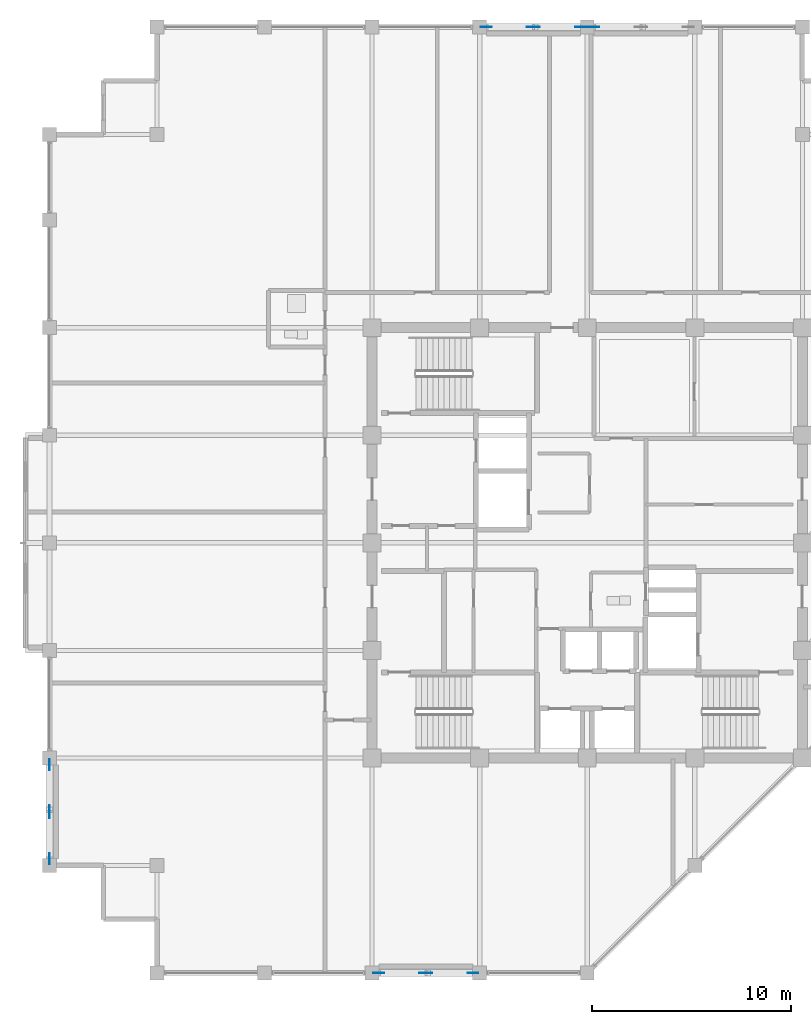
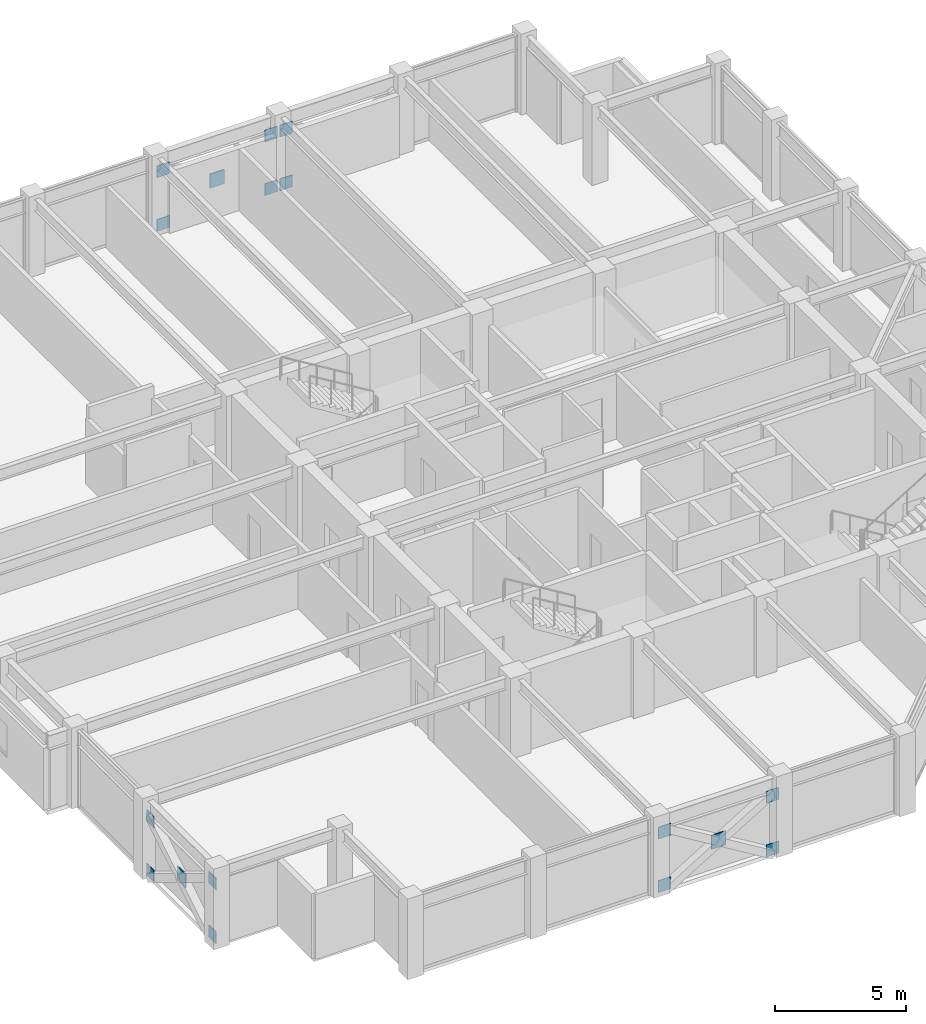
# One storey, part 22 of 30: 17 plates.
"""IFC4 building model written with IfcOpenShell, lengths in metres."""

import ifcopenshell
import ifcopenshell.guid

model = None  # the IFC model being written
_history = None  # IfcOwnerHistory: only IFC2X3 demands one
_inside = {}  # id of a spatial element -> (the spatial element, [elements in it])
_under = {}  # id of a project, library or spatial element -> (it, [spatial elements below it])
_declared = {}  # id of a project -> (the project, [libraries it declares])
_typed = {}  # id of a type object -> (the type object, [elements of that type])
_made_of = {}  # id of a material, layer set ... -> (it, [elements and type objects made of it])


def new_model(schema):
    """Start an empty IFC model of exactly this schema.

    Asked for "IFC4X3", IfcOpenShell would pick the latest addendum, in which some entities
    have other attributes; the version numbers below select the first issue.
    IFC2X3 requires an IfcOwnerHistory on every rooted entity: one is made here for all.
    """
    global model, _history
    if schema == "IFC4X3":
        model = ifcopenshell.file(schema_version=(4, 3, 0, 0))
    else:
        model = ifcopenshell.file(schema=schema)
    _inside.clear()
    _under.clear()
    _declared.clear()
    _typed.clear()
    _made_of.clear()
    _history = None
    if model.schema == "IFC2X3":
        org = make("IfcOrganization", Name="unknown")
        user = make(
            "IfcPersonAndOrganization",
            ThePerson=make("IfcPerson", FamilyName="unknown"),
            TheOrganization=org,
        )
        app = make(
            "IfcApplication",
            ApplicationDeveloper=org,
            Version="unknown",
            ApplicationFullName="unknown",
            ApplicationIdentifier="unknown",
        )
        _history = make(
            "IfcOwnerHistory",
            OwningUser=user,
            OwningApplication=app,
            ChangeAction="ADDED",
            CreationDate=0,
        )
    return model


def make(cls, **values):
    """One entity of the class cls with the attributes given. An attribute that is None is left unset."""
    return model.create_entity(
        cls, **{name: value for name, value in values.items() if value is not None}
    )


def rooted(cls, **values):
    """An entity with a GlobalId (a new one), such as an element, a storey or a relation."""
    return make(cls, GlobalId=ifcopenshell.guid.new(), OwnerHistory=_history, **values)


def si_unit(unit_type, name, prefix=None):
    """IfcSIUnit, for example si_unit("LENGTHUNIT", "METRE", prefix="MILLI")."""
    return make("IfcSIUnit", UnitType=unit_type, Prefix=prefix, Name=name)


def assignment(units):
    """IfcUnitAssignment: the units of a project."""
    return None if units is None else make("IfcUnitAssignment", Units=units)


def point(xyz):
    """IfcCartesianPoint."""
    return None if xyz is None else make("IfcCartesianPoint", Coordinates=xyz)


def direction(xyz):
    """IfcDirection."""
    return None if xyz is None else make("IfcDirection", DirectionRatios=xyz)


def frame(location, z_axis=None, x_axis=None):
    """IfcAxis2Placement3D, a coordinate frame: its origin and axes. An axis left out is left unset."""
    return make(
        "IfcAxis2Placement3D",
        Location=point(location),
        Axis=direction(z_axis),
        RefDirection=direction(x_axis),
    )


def frame_2d(location, x_axis=None):
    """IfcAxis2Placement2D, a coordinate frame in the plane: its origin and x axis."""
    return make(
        "IfcAxis2Placement2D", Location=point(location), RefDirection=direction(x_axis)
    )


def origin():
    """The frame at (0, 0, 0) with its axes left unset."""
    return frame((0.0, 0.0, 0.0))


def origin_2d():
    """The frame at (0, 0) in the plane with its x axis left unset."""
    return frame_2d((0.0, 0.0))


def place(relative_to, where):
    """IfcLocalPlacement: puts the frame where relative to a parent placement (None: the world)."""
    return make(
        "IfcLocalPlacement", PlacementRelTo=relative_to, RelativePlacement=where
    )


def context(
    kind, dimensions, precision=None, world=None, true_north=None, identifier=None
):
    """IfcGeometricRepresentationContext, for example the 3D "Model" context."""
    return make(
        "IfcGeometricRepresentationContext",
        ContextIdentifier=identifier,
        ContextType=kind,
        CoordinateSpaceDimension=dimensions,
        Precision=precision,
        WorldCoordinateSystem=world,
        TrueNorth=true_north,
    )


def subcontext(parent, identifier, kind, view, scale=None):
    """IfcGeometricRepresentationSubContext, for example "Body" below "Model"."""
    return make(
        "IfcGeometricRepresentationSubContext",
        ContextIdentifier=identifier,
        ContextType=kind,
        ParentContext=parent,
        TargetScale=scale,
        TargetView=view,
    )


def project(units=None, contexts=None):
    """IfcProject with its units and contexts."""
    return rooted(
        "IfcProject",
        Name="project",
        RepresentationContexts=contexts,
        UnitsInContext=assignment(units),
    )


def spatial(cls, under=None, at=None, **own):
    """A site, building, storey or space (cls), placed at a placement, below another one or the project."""
    s = rooted(cls, ObjectPlacement=at, **own)
    if under is not None:
        _under.setdefault(under.id(), (under, []))[1].append(s)
    return s


def profile(cls, at=None, kind="AREA", **sizes):
    """A parametric profile (cls). Its sizes go by their IFC names, for example OverallWidth=200.0."""
    return make(cls, ProfileType=kind, Position=at, **sizes)


def rectangle(**sizes):
    """IfcRectangleProfileDef."""
    return profile("IfcRectangleProfileDef", **sizes)


def extrude(swept, where, along, depth):
    """IfcExtrudedAreaSolid: the profile swept, set in the frame where, extruded along a direction by depth."""
    return make(
        "IfcExtrudedAreaSolid",
        SweptArea=swept,
        Position=where,
        ExtrudedDirection=direction(along),
        Depth=depth,
    )


def shape(context_of_items, identifier, shape_type, items):
    """IfcShapeRepresentation: the items that make up one representation, for example the "Body"."""
    return make(
        "IfcShapeRepresentation",
        ContextOfItems=context_of_items,
        RepresentationIdentifier=identifier,
        RepresentationType=shape_type,
        Items=items,
    )


def material(Name=None, Category=None):
    """IfcMaterial."""
    return make("IfcMaterial", Name=Name, Category=Category)


def layer(
    of_material, thickness, ventilated=None, Name=None, Category=None, Priority=None
):
    """IfcMaterialLayer: one layer of a wall or slab, of a material (None: an air gap)."""
    return make(
        "IfcMaterialLayer",
        Material=of_material,
        LayerThickness=thickness,
        IsVentilated=ventilated,
        Name=Name,
        Category=Category,
        Priority=Priority,
    )


def layer_set(layers, Name=None):
    """IfcMaterialLayerSet."""
    return make("IfcMaterialLayerSet", MaterialLayers=layers, LayerSetName=Name)


def made_of(thing, what):
    """Note that an element or type object is made of a material, layer set ...; save() writes the relation."""
    if what is not None:
        _made_of.setdefault(what.id(), (what, []))[1].append(thing)
    return thing


def type_object(cls, material=None, **own):
    """A type object (cls), such as IfcWallType, which elements share."""
    return made_of(rooted(cls, **own), material)


def element(
    cls,
    number,
    at=None,
    inside=None,
    cuts=None,
    type_object=None,
    material=None,
    context=None,
    identifier="Body",
    shape_type=None,
    held_by="IfcProductDefinitionShape",
    body=None,
    shapes=None,
    **own,
):
    """One element of the class cls, such as IfcWall. Its Tag is "e" and its number.

    at: its placement. inside: the storey or other place that contains it. cuts: it is an
    opening in that element (IfcRelVoidsElement). A single representation is given by context,
    identifier, shape_type and body (its items); several are given by shapes. held_by: the class
    of the entity that holds the representations. save() writes the other relations.
    """
    e = rooted(cls, Tag="e%d" % number, ObjectPlacement=at, **own)
    if body is not None:
        shapes = [shape(context, identifier, shape_type, body)]
    if shapes is not None:
        e.Representation = make(held_by, Representations=shapes)
    if inside is not None:
        _inside.setdefault(inside.id(), (inside, []))[1].append(e)
    if cuts is not None:
        rooted(
            "IfcRelVoidsElement", RelatingBuildingElement=cuts, RelatedOpeningElement=e
        )
    if type_object is not None:
        _typed.setdefault(type_object.id(), (type_object, []))[1].append(e)
    return made_of(e, material)


def aggregate(whole, parts):
    """IfcRelAggregates: a whole, such as a stair, and the parts it consists of."""
    return rooted("IfcRelAggregates", RelatingObject=whole, RelatedObjects=parts)


def save(model, path):
    """Write the relations noted so far, then the file.

    IfcRelAggregates (storeys below a building ...), IfcRelContainedInSpatialStructure (elements
    in a storey), IfcRelDefinesByType, IfcRelAssociatesMaterial and IfcRelDeclares: one each for
    every whole, place, type object, material and project.
    """
    for whole, parts in _under.values():
        aggregate(whole, parts)
    for where, things in _inside.values():
        rooted(
            "IfcRelContainedInSpatialStructure",
            RelatedElements=things,
            RelatingStructure=where,
        )
    for kind, things in _typed.values():
        rooted("IfcRelDefinesByType", RelatedObjects=things, RelatingType=kind)
    for what, things in _made_of.values():
        rooted("IfcRelAssociatesMaterial", RelatedObjects=things, RelatingMaterial=what)
    for by, libraries in _declared.values():
        rooted("IfcRelDeclares", RelatingContext=by, RelatedDefinitions=libraries)
    model.write(path)


model = new_model("IFC4")

# Units and contexts
model_context = context("Model", 3, precision=1e-05, world=origin(), true_north=direction((0.0, 1.0)))
body_context = subcontext(model_context, "Body", "Model", "MODEL_VIEW")
ifc_project = project(units=[si_unit("LENGTHUNIT", "METRE"), si_unit("AREAUNIT", "SQUARE_METRE"), si_unit("VOLUMEUNIT", "CUBIC_METRE"), si_unit("PLANEANGLEUNIT", "RADIAN"), si_unit("MASSUNIT", "GRAM", prefix="KILO")], contexts=[model_context])

# Site, building, storey
site_placement = place(None, origin())
site = spatial("IfcSite", under=ifc_project, at=site_placement, CompositionType="ELEMENT")
building_placement = place(site_placement, origin())
building = spatial("IfcBuilding", under=site, at=building_placement, Name="Surkhivell Harbour Commons", CompositionType="ELEMENT")
storey_placement = place(building_placement, frame((0.0, 0.0, 303.75)))
storey = spatial("IfcBuildingStorey", under=building, at=storey_placement, Name="L79", CompositionType="ELEMENT", Elevation=303.75)

# Plates
ifc_material = material(Name="Steel S460", Category="steel")
ifc_layer_1 = layer(ifc_material, 0.035888671875)
ifc_layer_set_1 = layer_set([ifc_layer_1], Name="Steel S460")
plate_type_1 = type_object("IfcPlateType", Name="PLT-GUS-550", PredefinedType="USERDEFINED", material=ifc_layer_set_1)
for number, where, z_axis, x_axis, name in (
    (1, (-5.06494140625, 25.89990234375, -0.07470703125), (0.0, 0.0, 1.0), (1.0, 0.0, 0.0), "L79 Perimeter Mega-Brace MB- Corner Gusset N-1"),
    (2, (-0.3349609375, 25.89990234375, -0.07470703125), (0.0, 0.0, 1.0), (1.0, 0.0, 0.0), "L79 Perimeter Mega-Brace MB- Corner Gusset N-2"),
    (3, (-5.06494140625, 25.89990234375, 2.41357421875), (0.0, 0.0, 1.0), (1.0, 0.0, 0.0), "L79 Perimeter Mega-Brace MB- Corner Gusset N-3"),
    (4, (-0.3349609375, 25.89990234375, 2.41357421875), (0.0, 0.0, 1.0), (1.0, 0.0, 0.0), "L79 Perimeter Mega-Brace MB- Corner Gusset N-4"),
    (5, (0.3349609375, 25.89990234375, -0.07470703125), (0.0, 0.0, 1.0), (1.0, 0.0, 0.0), "L79 Perimeter Mega-Brace MB- Corner Gusset N2-1"),
    (6, (0.3349609375, 25.89990234375, 2.41357421875), (0.0, 0.0, 1.0), (1.0, 0.0, 0.0), "L79 Perimeter Mega-Brace MB- Corner Gusset N2-3"),
    (7, (-10.465087890625, -21.60009765625, -0.07470703125), (0.0, 0.0, 1.0), (1.0, 0.0, 0.0), "L79 Perimeter Mega-Brace MB- Corner Gusset S-1"),
    (8, (-5.735107421875, -21.60009765625, -0.07470703125), (0.0, 0.0, 1.0), (1.0, 0.0, 0.0), "L79 Perimeter Mega-Brace MB- Corner Gusset S-2"),
    (9, (-10.465087890625, -21.60009765625, 2.41357421875), (0.0, 0.0, 1.0), (1.0, 0.0, 0.0), "L79 Perimeter Mega-Brace MB- Corner Gusset S-3"),
    (10, (-5.735107421875, -21.60009765625, 2.41357421875), (0.0, 0.0, 1.0), (1.0, 0.0, 0.0), "L79 Perimeter Mega-Brace MB- Corner Gusset S-4"),
    (11, (-27.0, -15.864990234375, -0.07470703125), (0.0, 0.0, 1.0), (0.0, 1.0, 0.0), "L79 Perimeter Mega-Brace MB- Corner Gusset W-1"),
    (12, (-27.0, -11.135009765625, -0.07470703125), (0.0, 0.0, 1.0), (0.0, 1.0, 0.0), "L79 Perimeter Mega-Brace MB- Corner Gusset W-2"),
    (13, (-27.0, -15.864990234375, 2.41357421875), (0.0, 0.0, 1.0), (0.0, 1.0, 0.0), "L79 Perimeter Mega-Brace MB- Corner Gusset W-3"),
    (14, (-27.0, -11.135009765625, 2.41357421875), (0.0, 0.0, 1.0), (0.0, 1.0, 0.0), "L79 Perimeter Mega-Brace MB- Corner Gusset W-4"),
):
    element("IfcPlate", number, at=place(storey_placement, frame(where, z_axis=z_axis, x_axis=x_axis)), inside=storey, type_object=plate_type_1, Name=name, ObjectType="GUSSET_PLATE", PredefinedType="USERDEFINED", context=body_context, shape_type="SweptSolid", body=[
        extrude(rectangle(XDim=0.550048828125, YDim=0.035888671875, at=origin_2d()), origin(), (0.0, 0.0, 1.0), 0.550048828125),
    ])
ifc_layer_2 = layer(ifc_material, 0.044921875)
ifc_layer_set_2 = layer_set([ifc_layer_2], Name="Steel S460")
plate_type_2 = type_object("IfcPlateType", Name="PLT-GUS-650", PredefinedType="USERDEFINED", material=ifc_layer_set_2)
for number, where, z_axis, x_axis, name in (
    (15, (-2.699951171875, 25.89990234375, 1.11962890625), (0.0, 0.0, 1.0), (1.0, 0.0, 0.0), "L79 Perimeter Mega-Brace MB- Central Crossing Gusset N"),
    (16, (-8.10009765625, -21.60009765625, 1.11962890625), (0.0, 0.0, 1.0), (1.0, 0.0, 0.0), "L79 Perimeter Mega-Brace MB- Central Crossing Gusset S"),
    (17, (-27.0, -13.5, 1.11962890625), (0.0, 0.0, 1.0), (0.0, 1.0, 0.0), "L79 Perimeter Mega-Brace MB- Central Crossing Gusset W"),
):
    element("IfcPlate", number, at=place(storey_placement, frame(where, z_axis=z_axis, x_axis=x_axis)), inside=storey, type_object=plate_type_2, Name=name, ObjectType="GUSSET_PLATE", PredefinedType="USERDEFINED", context=body_context, shape_type="SweptSolid", body=[
        extrude(rectangle(XDim=0.64990234375, YDim=0.044921875, at=origin_2d()), origin(), (0.0, 0.0, 1.0), 0.64990234375),
    ])

save(model, "model.ifc")
